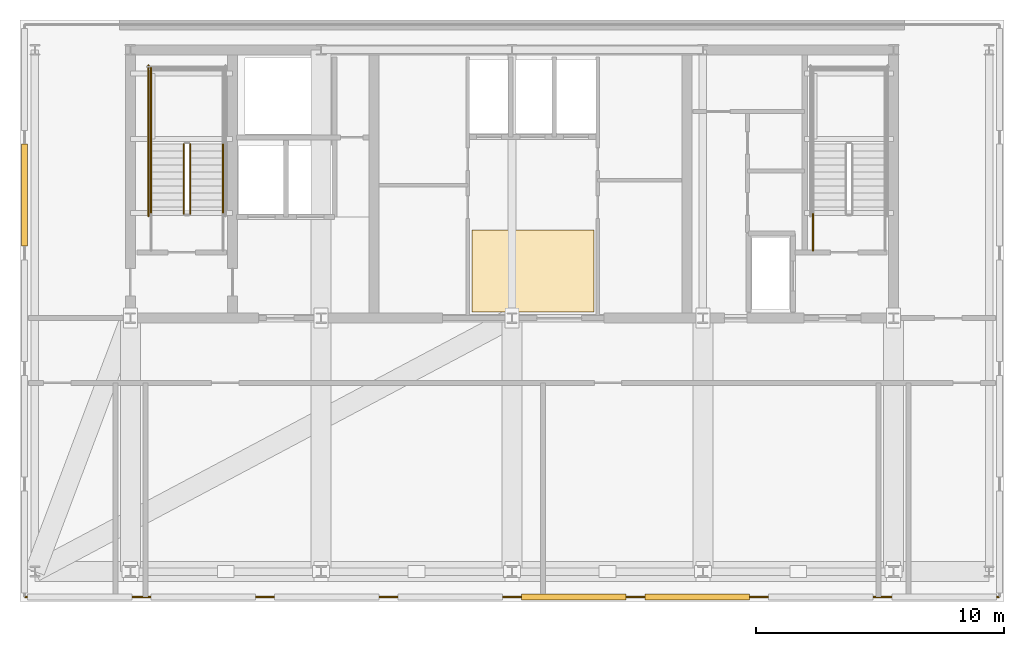
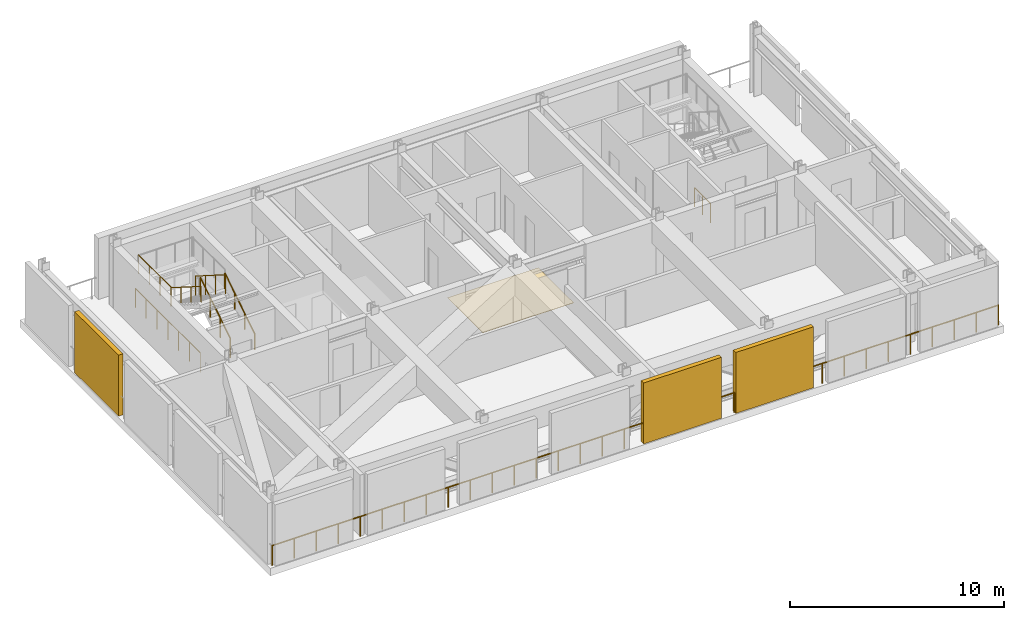
# One storey, part 5 of 8: 8 railings, 3 shading devices, 1 covering.
"""IFC4 building model written with IfcOpenShell, lengths in metres."""

from ifc_helpers import new_model, si_unit, direction, frame, origin, origin_2d, place, context, subcontext, project, spatial, polyline, rectangle, circle, outline, extrude, material, layer, layer_set, type_object, element, save


model = new_model("IFC4")

# Units and contexts
model_context = context("Model", 3, precision=1e-05, world=origin(), true_north=direction((0.0, 1.0)))
body_context = subcontext(model_context, "Body", "Model", "MODEL_VIEW")
ifc_project = project(units=[si_unit("LENGTHUNIT", "METRE"), si_unit("AREAUNIT", "SQUARE_METRE"), si_unit("VOLUMEUNIT", "CUBIC_METRE"), si_unit("PLANEANGLEUNIT", "RADIAN"), si_unit("MASSUNIT", "GRAM", prefix="KILO")], contexts=[model_context])

# Site, building, storey
site_placement = place(None, origin())
site = spatial("IfcSite", under=ifc_project, at=site_placement, CompositionType="ELEMENT")
building_placement = place(site_placement, origin())
building = spatial("IfcBuilding", under=site, at=building_placement, Name="Yelkora Congress Tower", CompositionType="ELEMENT")
storey_placement = place(building_placement, frame((0.0, 0.0, 255.199951171875)))
storey = spatial("IfcBuildingStorey", under=building, at=storey_placement, Name="L71", CompositionType="ELEMENT", Elevation=255.199951171875)

# Covering
ifc_material_1 = material(Name="Polished Anatolian grey granite tile", Category="masonry")
ifc_layer_1 = layer(ifc_material_1, 0.02001953125)
ifc_layer_set_1 = layer_set([ifc_layer_1], Name="Polished Anatolian grey granite tile")
covering_type = type_object("IfcCoveringType", Name="COV-FLOOR-GRANITE-20", PredefinedType="FLOORING", material=ifc_layer_set_1)
covering_placement = place(storey_placement, origin())
element("IfcCovering", 1, at=covering_placement, inside=storey, type_object=covering_type, Name="L71 Lift Lobby Granite Flooring", PredefinedType="FLOORING", context=body_context, shape_type="SweptSolid", body=[
    extrude(outline(polyline([(36.800048828125, 35.64990234375), (41.699951171875, 35.64990234375), (41.699951171875, 38.949951171875), (36.800048828125, 38.949951171875), (36.800048828125, 35.64990234375)])), origin(), (0.0, 0.0, 1.0), 0.02001953125),
])

# Railings
ifc_material_2 = material(Name="Stainless steel 316L and laminated glass infill", Category="steel")
ifc_layer_2 = layer(ifc_material_2, 0.080078125)
ifc_layer_set_2 = layer_set([ifc_layer_2], Name="Stainless steel 316L and laminated glass infill")
railing_type_1 = type_object("IfcRailingType", Name="RAIL-EXT-GUARD-1150", PredefinedType="GUARDRAIL", material=ifc_layer_set_2)
railing_1_placement = place(storey_placement, frame((18.800048828125, 24.179931640625, 0.0)))
element("IfcRailing", 2, at=railing_1_placement, inside=storey, type_object=railing_type_1, Name="L71 Wind-Floor South Guardrail", PredefinedType="GUARDRAIL", context=body_context, shape_type="SweptSolid", body=[
    extrude(circle(Radius=0.02392578125, at=origin_2d()), frame((0.0, 0.0, 1.1259765625), z_axis=(1.0, 0.0, 0.0), x_axis=(0.0, 1.0, 0.0)), (0.0, 0.0, 1.0), 39.199951171875),
    extrude(circle(Radius=0.02099609375, at=origin_2d()), origin(), (0.0, 0.0, 1.0), 1.101806640625),
    extrude(circle(Radius=0.02099609375, at=origin_2d()), frame((1.18798828125, 0.0, 0.0)), (0.0, 0.0, 1.0), 1.101806640625),
    extrude(circle(Radius=0.02099609375, at=origin_2d()), frame((2.375732421875, 0.0, 0.0)), (0.0, 0.0, 1.0), 1.101806640625),
    extrude(circle(Radius=0.02099609375, at=origin_2d()), frame((3.563720703125, 0.0, 0.0)), (0.0, 0.0, 1.0), 1.101806640625),
    extrude(circle(Radius=0.02099609375, at=origin_2d()), frame((4.75146484375, 0.0, 0.0)), (0.0, 0.0, 1.0), 1.101806640625),
    extrude(circle(Radius=0.02099609375, at=origin_2d()), frame((5.939453125, 0.0, 0.0)), (0.0, 0.0, 1.0), 1.101806640625),
    extrude(circle(Radius=0.02099609375, at=origin_2d()), frame((7.127197265625, 0.0, 0.0)), (0.0, 0.0, 1.0), 1.101806640625),
    extrude(circle(Radius=0.02099609375, at=origin_2d()), frame((8.315185546875, 0.0, 0.0)), (0.0, 0.0, 1.0), 1.101806640625),
    extrude(circle(Radius=0.02099609375, at=origin_2d()), frame((9.5029296875, 0.0, 0.0)), (0.0, 0.0, 1.0), 1.101806640625),
    extrude(circle(Radius=0.02099609375, at=origin_2d()), frame((10.69091796875, 0.0, 0.0)), (0.0, 0.0, 1.0), 1.101806640625),
    extrude(circle(Radius=0.02099609375, at=origin_2d()), frame((11.878662109375, 0.0, 0.0)), (0.0, 0.0, 1.0), 1.101806640625),
    extrude(circle(Radius=0.02099609375, at=origin_2d()), frame((13.066650390625, 0.0, 0.0)), (0.0, 0.0, 1.0), 1.101806640625),
    extrude(circle(Radius=0.02099609375, at=origin_2d()), frame((14.254638671875, 0.0, 0.0)), (0.0, 0.0, 1.0), 1.101806640625),
    extrude(circle(Radius=0.02099609375, at=origin_2d()), frame((15.4423828125, 0.0, 0.0)), (0.0, 0.0, 1.0), 1.101806640625),
    extrude(circle(Radius=0.02099609375, at=origin_2d()), frame((16.63037109375, 0.0, 0.0)), (0.0, 0.0, 1.0), 1.101806640625),
    extrude(circle(Radius=0.02099609375, at=origin_2d()), frame((17.818115234375, 0.0, 0.0)), (0.0, 0.0, 1.0), 1.101806640625),
    extrude(circle(Radius=0.02099609375, at=origin_2d()), frame((19.006103515625, 0.0, 0.0)), (0.0, 0.0, 1.0), 1.101806640625),
    extrude(circle(Radius=0.02099609375, at=origin_2d()), frame((20.19384765625, 0.0, 0.0)), (0.0, 0.0, 1.0), 1.101806640625),
    extrude(circle(Radius=0.02099609375, at=origin_2d()), frame((21.3818359375, 0.0, 0.0)), (0.0, 0.0, 1.0), 1.101806640625),
    extrude(circle(Radius=0.02099609375, at=origin_2d()), frame((22.569580078125, 0.0, 0.0)), (0.0, 0.0, 1.0), 1.101806640625),
    extrude(circle(Radius=0.02099609375, at=origin_2d()), frame((23.757568359375, 0.0, 0.0)), (0.0, 0.0, 1.0), 1.101806640625),
    extrude(circle(Radius=0.02099609375, at=origin_2d()), frame((24.9453125, 0.0, 0.0)), (0.0, 0.0, 1.0), 1.101806640625),
    extrude(circle(Radius=0.02099609375, at=origin_2d()), frame((26.13330078125, 0.0, 0.0)), (0.0, 0.0, 1.0), 1.101806640625),
    extrude(circle(Radius=0.02099609375, at=origin_2d()), frame((27.3212890625, 0.0, 0.0)), (0.0, 0.0, 1.0), 1.101806640625),
    extrude(circle(Radius=0.02099609375, at=origin_2d()), frame((28.509033203125, 0.0, 0.0)), (0.0, 0.0, 1.0), 1.101806640625),
    extrude(circle(Radius=0.02099609375, at=origin_2d()), frame((29.697021484375, 0.0, 0.0)), (0.0, 0.0, 1.0), 1.101806640625),
    extrude(circle(Radius=0.02099609375, at=origin_2d()), frame((30.884765625, 0.0, 0.0)), (0.0, 0.0, 1.0), 1.101806640625),
    extrude(circle(Radius=0.02099609375, at=origin_2d()), frame((32.07275390625, 0.0, 0.0)), (0.0, 0.0, 1.0), 1.101806640625),
    extrude(circle(Radius=0.02099609375, at=origin_2d()), frame((33.260498046875, 0.0, 0.0)), (0.0, 0.0, 1.0), 1.101806640625),
    extrude(circle(Radius=0.02099609375, at=origin_2d()), frame((34.448486328125, 0.0, 0.0)), (0.0, 0.0, 1.0), 1.101806640625),
    extrude(circle(Radius=0.02099609375, at=origin_2d()), frame((35.63623046875, 0.0, 0.0)), (0.0, 0.0, 1.0), 1.101806640625),
    extrude(circle(Radius=0.02099609375, at=origin_2d()), frame((36.82421875, 0.0, 0.0)), (0.0, 0.0, 1.0), 1.101806640625),
    extrude(circle(Radius=0.02099609375, at=origin_2d()), frame((38.011962890625, 0.0, 0.0)), (0.0, 0.0, 1.0), 1.101806640625),
    extrude(circle(Radius=0.02099609375, at=origin_2d()), frame((39.199951171875, 0.0, 0.0)), (0.0, 0.0, 1.0), 1.101806640625),
])
ifc_material_3 = material(Name="Painted galvanised steel stair well guard with vertical infill", Category="steel")
ifc_layer_3 = layer(ifc_material_3, 0.06005859375)
ifc_layer_set_3 = layer_set([ifc_layer_3], Name="Painted galvanised steel stair well guard with vertical infill")
railing_type_2 = type_object("IfcRailingType", Name="RAIL-STAIR-GUARD-1120", PredefinedType="GUARDRAIL", material=ifc_layer_set_3)
railing_2_placement = place(storey_placement, frame((25.449951171875, 39.60009765625, 0.17724609375)))
element("IfcRailing", 3, at=railing_2_placement, inside=storey, type_object=railing_type_2, Name="ST-01 L71 Stair Well Guardrail 1", PredefinedType="GUARDRAIL", context=body_context, shape_type="SweptSolid", body=[
    extrude(circle(Radius=0.02392578125, at=origin_2d()), frame((0.0, 0.0, 1.09619140625), z_axis=(0.0, 0.844887892834, 0.53494340686), x_axis=(-1.0, 0.0, 0.0)), (0.0, 0.0, 1.0), 3.313720703125),
    extrude(circle(Radius=0.02099609375, at=origin_2d()), origin(), (0.0, 0.0, 1.0), 1.072021484375),
    extrude(circle(Radius=0.02099609375, at=origin_2d()), frame((0.0, 0.933349609375, 0.5908203125)), (0.0, 0.0, 1.0), 1.072021484375),
    extrude(circle(Radius=0.02099609375, at=origin_2d()), frame((0.0, 1.866455078125, 1.181884765625)), (0.0, 0.0, 1.0), 1.072021484375),
    extrude(circle(Radius=0.02099609375, at=origin_2d()), frame((0.0, 2.7998046875, 1.772705078125)), (0.0, 0.0, 1.0), 1.072021484375),
])
railing_3_placement = place(storey_placement, frame((23.8701171875, 42.39990234375, 1.949951171875)))
element("IfcRailing", 4, at=railing_3_placement, inside=storey, type_object=railing_type_2, Name="ST-01 L71 Stair Well Guardrail 4", PredefinedType="GUARDRAIL", context=body_context, shape_type="SweptSolid", body=[
    extrude(circle(Radius=0.02392578125, at=origin_2d()), frame((0.0, 0.0, 1.09619140625), z_axis=(0.0, 1.0, 0.0), x_axis=(-1.0, 0.0, 0.0)), (0.0, 0.0, 1.0), 3.070068359375),
    extrude(circle(Radius=0.02099609375, at=origin_2d()), origin(), (0.0, 0.0, 1.0), 1.072021484375),
    extrude(circle(Radius=0.02099609375, at=origin_2d()), frame((0.0, 1.0234375, 0.0)), (0.0, 0.0, 1.0), 1.072021484375),
    extrude(circle(Radius=0.02099609375, at=origin_2d()), frame((0.0, 2.046630859375, 0.0)), (0.0, 0.0, 1.0), 1.072021484375),
    extrude(circle(Radius=0.02099609375, at=origin_2d()), frame((0.0, 3.070068359375, 0.0)), (0.0, 0.0, 1.0), 1.072021484375),
])
railing_4_placement = place(storey_placement, frame((25.18994140625, 42.39990234375, 2.12744140625)))
element("IfcRailing", 5, at=railing_4_placement, inside=storey, type_object=railing_type_2, Name="ST-01 L71 Stair Well Guardrail 6", PredefinedType="GUARDRAIL", context=body_context, shape_type="SweptSolid", body=[
    extrude(circle(Radius=0.02392578125, at=origin_2d()), frame((0.0, 0.0, 1.09619140625), z_axis=(0.0, -0.844887892834, 0.53494340686), x_axis=(1.0, 0.0, 0.0)), (0.0, 0.0, 1.0), 3.313720703125),
    extrude(circle(Radius=0.02099609375, at=origin_2d()), origin(), (0.0, 0.0, 1.0), 1.072021484375),
    extrude(circle(Radius=0.02099609375, at=origin_2d()), frame((0.0, -0.933349609375, 0.5908203125)), (0.0, 0.0, 1.0), 1.072021484375),
    extrude(circle(Radius=0.02099609375, at=origin_2d()), frame((0.0, -1.866455078125, 1.181884765625)), (0.0, 0.0, 1.0), 1.072021484375),
    extrude(circle(Radius=0.02099609375, at=origin_2d()), frame((0.0, -2.7998046875, 1.772705078125)), (0.0, 0.0, 1.0), 1.072021484375),
])
railing_5_placement = place(storey_placement, frame((23.77001953125, 39.5, 0.0)))
element("IfcRailing", 6, at=railing_5_placement, inside=storey, type_object=railing_type_2, Name="ST-01 L71 Stair Well Guardrail 11", PredefinedType="GUARDRAIL", context=body_context, shape_type="SweptSolid", body=[
    extrude(circle(Radius=0.02392578125, at=origin_2d()), frame((0.0, 0.0, 1.09619140625), z_axis=(0.0, 1.0, 0.0), x_axis=(-1.0, 0.0, 0.0)), (0.0, 0.0, 1.0), 6.070068359375),
    extrude(circle(Radius=0.02099609375, at=origin_2d()), origin(), (0.0, 0.0, 1.0), 1.072021484375),
    extrude(circle(Radius=0.02099609375, at=origin_2d()), frame((0.0, 1.01171875, 0.0)), (0.0, 0.0, 1.0), 1.072021484375),
    extrude(circle(Radius=0.02099609375, at=origin_2d()), frame((0.0, 2.0234375, 0.0)), (0.0, 0.0, 1.0), 1.072021484375),
    extrude(circle(Radius=0.02099609375, at=origin_2d()), frame((0.0, 3.03515625, 0.0)), (0.0, 0.0, 1.0), 1.072021484375),
    extrude(circle(Radius=0.02099609375, at=origin_2d()), frame((0.0, 4.046630859375, 0.0)), (0.0, 0.0, 1.0), 1.072021484375),
    extrude(circle(Radius=0.02099609375, at=origin_2d()), frame((0.0, 5.058349609375, 0.0)), (0.0, 0.0, 1.0), 1.072021484375),
    extrude(circle(Radius=0.02099609375, at=origin_2d()), frame((0.0, 6.070068359375, 0.0)), (0.0, 0.0, 1.0), 1.072021484375),
])
railing_6_placement = place(storey_placement, frame((50.510009765625, 38.1201171875, 0.0)))
element("IfcRailing", 7, at=railing_6_placement, inside=storey, type_object=railing_type_2, Name="ST-02 L71 Stair Well Guardrail 9", PredefinedType="GUARDRAIL", context=body_context, shape_type="SweptSolid", body=[
    extrude(circle(Radius=0.02392578125, at=origin_2d()), frame((0.0, 0.0, 1.09619140625), z_axis=(0.0, 1.0, 0.0), x_axis=(-1.0, 0.0, 0.0)), (0.0, 0.0, 1.0), 1.47998046875),
    extrude(circle(Radius=0.02099609375, at=origin_2d()), origin(), (0.0, 0.0, 1.0), 1.072021484375),
    extrude(circle(Radius=0.02099609375, at=origin_2d()), frame((0.0, 0.739990234375, 0.0)), (0.0, 0.0, 1.0), 1.072021484375),
    extrude(circle(Radius=0.02099609375, at=origin_2d()), frame((0.0, 1.47998046875, 0.0)), (0.0, 0.0, 1.0), 1.072021484375),
])
ifc_material_4 = material(Name="Brushed stainless steel tubular handrail", Category="steel")
ifc_layer_4 = layer(ifc_material_4, 0.050048828125)
ifc_layer_set_4 = layer_set([ifc_layer_4], Name="Brushed stainless steel tubular handrail")
railing_type_3 = type_object("IfcRailingType", Name="RAIL-STAIR-HAND-920", PredefinedType="HANDRAIL", material=ifc_layer_set_4)
railing_7_placement = place(storey_placement, frame((26.77001953125, 39.60009765625, 0.17724609375)))
element("IfcRailing", 8, at=railing_7_placement, inside=storey, type_object=railing_type_3, Name="ST-01 L71 Pitch Handrail 1", PredefinedType="HANDRAIL", context=body_context, shape_type="SweptSolid", body=[
    extrude(circle(Radius=0.02392578125, at=origin_2d()), frame((0.0, 0.0, 0.89599609375), z_axis=(0.0, 0.844887892834, 0.53494340686), x_axis=(-1.0, 0.0, 0.0)), (0.0, 0.0, 1.0), 3.313720703125),
    extrude(circle(Radius=0.02099609375, at=origin_2d()), origin(), (0.0, 0.0, 1.0), 0.871826171875),
    extrude(circle(Radius=0.02099609375, at=origin_2d()), frame((0.0, 0.933349609375, 0.5908203125)), (0.0, 0.0, 1.0), 0.871826171875),
    extrude(circle(Radius=0.02099609375, at=origin_2d()), frame((0.0, 1.866455078125, 1.181884765625)), (0.0, 0.0, 1.0), 0.871826171875),
    extrude(circle(Radius=0.02099609375, at=origin_2d()), frame((0.0, 2.7998046875, 1.772705078125)), (0.0, 0.0, 1.0), 0.871826171875),
])
railing_8_placement = place(storey_placement, frame((23.8701171875, 42.39990234375, 2.12744140625)))
element("IfcRailing", 9, at=railing_8_placement, inside=storey, type_object=railing_type_3, Name="ST-01 L71 Pitch Handrail 2", PredefinedType="HANDRAIL", context=body_context, shape_type="SweptSolid", body=[
    extrude(circle(Radius=0.02392578125, at=origin_2d()), frame((0.0, 0.0, 0.89599609375), z_axis=(0.0, -0.844887892834, 0.53494340686), x_axis=(1.0, 0.0, 0.0)), (0.0, 0.0, 1.0), 3.313720703125),
    extrude(circle(Radius=0.02099609375, at=origin_2d()), origin(), (0.0, 0.0, 1.0), 0.871826171875),
    extrude(circle(Radius=0.02099609375, at=origin_2d()), frame((0.0, -0.933349609375, 0.5908203125)), (0.0, 0.0, 1.0), 0.871826171875),
    extrude(circle(Radius=0.02099609375, at=origin_2d()), frame((0.0, -1.866455078125, 1.181884765625)), (0.0, 0.0, 1.0), 0.871826171875),
    extrude(circle(Radius=0.02099609375, at=origin_2d()), frame((0.0, -2.7998046875, 1.772705078125)), (0.0, 0.0, 1.0), 0.871826171875),
])

# Shading devices
ifc_material_5 = material(Name="Perforated anodised aluminium louvre", Category="aluminium")
ifc_layer_5 = layer(ifc_material_5, 3.39990234375)
ifc_layer_set_5 = layer_set([ifc_layer_5], Name="Perforated anodised aluminium louvre")
shading_device_type = type_object("IfcShadingDeviceType", Name="SHD-LOUVRE-WIND", PredefinedType="JALOUSIE", material=ifc_layer_set_5)
shading_device_placement = place(storey_placement, frame((18.780029296875, 40.35009765625, 0.0), z_axis=(0.0, 0.0, 1.0), x_axis=(1.0, 0.0, 0.0)))
element("IfcShadingDevice", 10, at=shading_device_placement, inside=storey, type_object=shading_device_type, Name="L71 Acoustic Wind-Floor Louvre Screen W4", PredefinedType="JALOUSIE", context=body_context, shape_type="SweptSolid", body=[
    extrude(rectangle(XDim=0.239990234375, YDim=4.10009765625, at=origin_2d()), origin(), (0.0, 0.0, 1.0), 3.47998046875),
])
for number, where, z_axis, x_axis, name in (
    (11, (40.8857421875, 24.179931640625, 0.0), (0.0, 0.0, 1.0), (1.0, 0.0, 0.0), "L71 South Blow-Through Wind Louvre 5"),
    (12, (45.857177734375, 24.179931640625, 0.0), (0.0, 0.0, 1.0), (1.0, 0.0, 0.0), "L71 South Blow-Through Wind Louvre 6"),
):
    element("IfcShadingDevice", number, at=place(storey_placement, frame(where, z_axis=z_axis, x_axis=x_axis)), inside=storey, type_object=shading_device_type, Name=name, PredefinedType="JALOUSIE", context=body_context, shape_type="SweptSolid", body=[
        extrude(rectangle(XDim=4.199951171875, YDim=0.239990234375, at=origin_2d()), origin(), (0.0, 0.0, 1.0), 3.47998046875),
    ])

save(model, "model.ifc")
